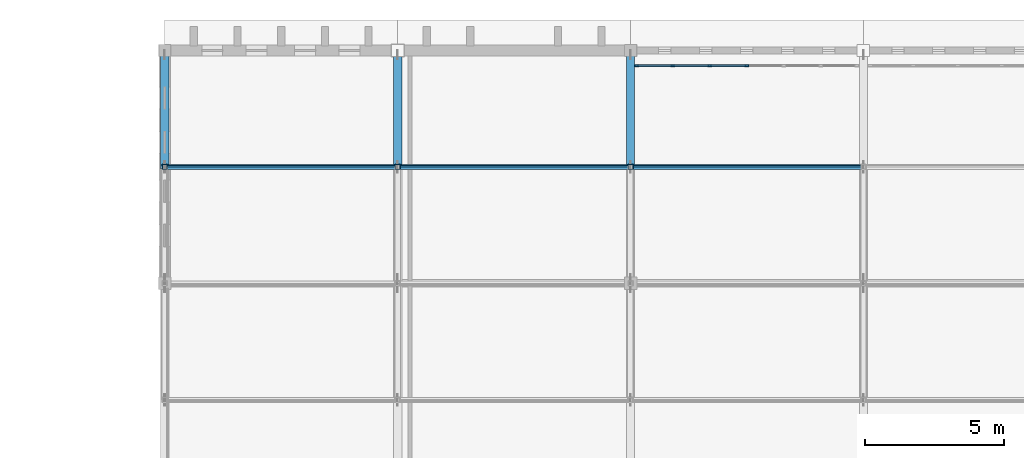
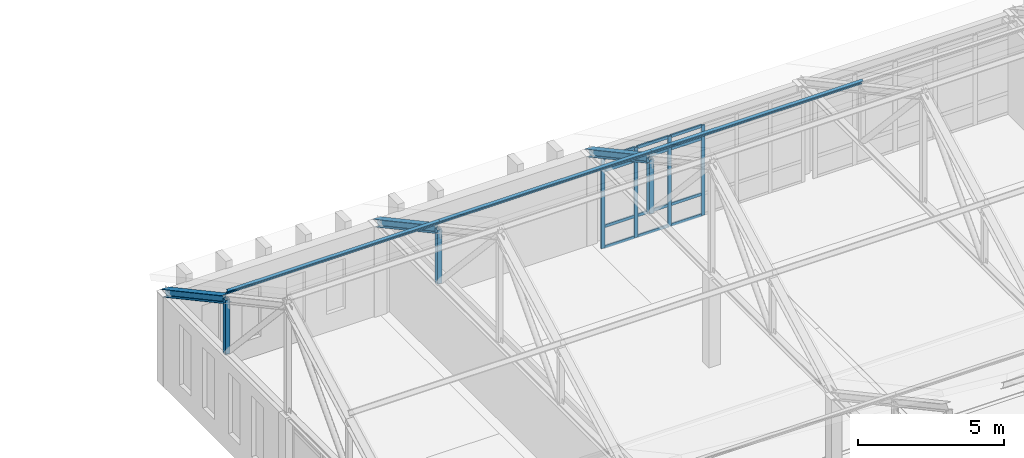
# One storey, part 30 of 110: 25 members, 1 element without a shape of its own.
"""IFC4 building model written with IfcOpenShell, lengths in metres."""

import ifcopenshell
import ifcopenshell.guid

model = None  # the IFC model being written
_history = None  # IfcOwnerHistory: only IFC2X3 demands one
_inside = {}  # id of a spatial element -> (the spatial element, [elements in it])
_under = {}  # id of a project, library or spatial element -> (it, [spatial elements below it])
_declared = {}  # id of a project -> (the project, [libraries it declares])
_typed = {}  # id of a type object -> (the type object, [elements of that type])
_made_of = {}  # id of a material, layer set ... -> (it, [elements and type objects made of it])


def new_model(schema):
    """Start an empty IFC model of exactly this schema.

    Asked for "IFC4X3", IfcOpenShell would pick the latest addendum, in which some entities
    have other attributes; the version numbers below select the first issue.
    IFC2X3 requires an IfcOwnerHistory on every rooted entity: one is made here for all.
    """
    global model, _history
    if schema == "IFC4X3":
        model = ifcopenshell.file(schema_version=(4, 3, 0, 0))
    else:
        model = ifcopenshell.file(schema=schema)
    _inside.clear()
    _under.clear()
    _declared.clear()
    _typed.clear()
    _made_of.clear()
    _history = None
    if model.schema == "IFC2X3":
        org = make("IfcOrganization", Name="unknown")
        user = make(
            "IfcPersonAndOrganization",
            ThePerson=make("IfcPerson", FamilyName="unknown"),
            TheOrganization=org,
        )
        app = make(
            "IfcApplication",
            ApplicationDeveloper=org,
            Version="unknown",
            ApplicationFullName="unknown",
            ApplicationIdentifier="unknown",
        )
        _history = make(
            "IfcOwnerHistory",
            OwningUser=user,
            OwningApplication=app,
            ChangeAction="ADDED",
            CreationDate=0,
        )
    return model


def make(cls, **values):
    """One entity of the class cls with the attributes given. An attribute that is None is left unset."""
    return model.create_entity(
        cls, **{name: value for name, value in values.items() if value is not None}
    )


def rooted(cls, **values):
    """An entity with a GlobalId (a new one), such as an element, a storey or a relation."""
    return make(cls, GlobalId=ifcopenshell.guid.new(), OwnerHistory=_history, **values)


def si_unit(unit_type, name, prefix=None):
    """IfcSIUnit, for example si_unit("LENGTHUNIT", "METRE", prefix="MILLI")."""
    return make("IfcSIUnit", UnitType=unit_type, Prefix=prefix, Name=name)


def assignment(units):
    """IfcUnitAssignment: the units of a project."""
    return None if units is None else make("IfcUnitAssignment", Units=units)


def point(xyz):
    """IfcCartesianPoint."""
    return None if xyz is None else make("IfcCartesianPoint", Coordinates=xyz)


def direction(xyz):
    """IfcDirection."""
    return None if xyz is None else make("IfcDirection", DirectionRatios=xyz)


def frame(location, z_axis=None, x_axis=None):
    """IfcAxis2Placement3D, a coordinate frame: its origin and axes. An axis left out is left unset."""
    return make(
        "IfcAxis2Placement3D",
        Location=point(location),
        Axis=direction(z_axis),
        RefDirection=direction(x_axis),
    )


def frame_2d(location, x_axis=None):
    """IfcAxis2Placement2D, a coordinate frame in the plane: its origin and x axis."""
    return make(
        "IfcAxis2Placement2D", Location=point(location), RefDirection=direction(x_axis)
    )


def origin():
    """The frame at (0, 0, 0) with its axes left unset."""
    return frame((0.0, 0.0, 0.0))


def origin_2d():
    """The frame at (0, 0) in the plane with its x axis left unset."""
    return frame_2d((0.0, 0.0))


def place(relative_to, where):
    """IfcLocalPlacement: puts the frame where relative to a parent placement (None: the world)."""
    return make(
        "IfcLocalPlacement", PlacementRelTo=relative_to, RelativePlacement=where
    )


def context(
    kind, dimensions, precision=None, world=None, true_north=None, identifier=None
):
    """IfcGeometricRepresentationContext, for example the 3D "Model" context."""
    return make(
        "IfcGeometricRepresentationContext",
        ContextIdentifier=identifier,
        ContextType=kind,
        CoordinateSpaceDimension=dimensions,
        Precision=precision,
        WorldCoordinateSystem=world,
        TrueNorth=true_north,
    )


def subcontext(parent, identifier, kind, view, scale=None):
    """IfcGeometricRepresentationSubContext, for example "Body" below "Model"."""
    return make(
        "IfcGeometricRepresentationSubContext",
        ContextIdentifier=identifier,
        ContextType=kind,
        ParentContext=parent,
        TargetScale=scale,
        TargetView=view,
    )


def project(units=None, contexts=None):
    """IfcProject with its units and contexts."""
    return rooted(
        "IfcProject",
        Name="project",
        RepresentationContexts=contexts,
        UnitsInContext=assignment(units),
    )


def spatial(cls, under=None, at=None, **own):
    """A site, building, storey or space (cls), placed at a placement, below another one or the project."""
    s = rooted(cls, ObjectPlacement=at, **own)
    if under is not None:
        _under.setdefault(under.id(), (under, []))[1].append(s)
    return s


def profile(cls, at=None, kind="AREA", **sizes):
    """A parametric profile (cls). Its sizes go by their IFC names, for example OverallWidth=200.0."""
    return make(cls, ProfileType=kind, Position=at, **sizes)


def rectangle(**sizes):
    """IfcRectangleProfileDef."""
    return profile("IfcRectangleProfileDef", **sizes)


def hollow_rectangle(**sizes):
    """IfcRectangleHollowProfileDef."""
    return profile("IfcRectangleHollowProfileDef", **sizes)


def i_section(**sizes):
    """IfcIShapeProfileDef."""
    return profile("IfcIShapeProfileDef", **sizes)


def extrude(swept, where, along, depth):
    """IfcExtrudedAreaSolid: the profile swept, set in the frame where, extruded along a direction by depth."""
    return make(
        "IfcExtrudedAreaSolid",
        SweptArea=swept,
        Position=where,
        ExtrudedDirection=direction(along),
        Depth=depth,
    )


def shape(context_of_items, identifier, shape_type, items):
    """IfcShapeRepresentation: the items that make up one representation, for example the "Body"."""
    return make(
        "IfcShapeRepresentation",
        ContextOfItems=context_of_items,
        RepresentationIdentifier=identifier,
        RepresentationType=shape_type,
        Items=items,
    )


def material(Name=None, Category=None):
    """IfcMaterial."""
    return make("IfcMaterial", Name=Name, Category=Category)


def layer(
    of_material, thickness, ventilated=None, Name=None, Category=None, Priority=None
):
    """IfcMaterialLayer: one layer of a wall or slab, of a material (None: an air gap)."""
    return make(
        "IfcMaterialLayer",
        Material=of_material,
        LayerThickness=thickness,
        IsVentilated=ventilated,
        Name=Name,
        Category=Category,
        Priority=Priority,
    )


def layer_set(layers, Name=None):
    """IfcMaterialLayerSet."""
    return make("IfcMaterialLayerSet", MaterialLayers=layers, LayerSetName=Name)


def material_profile(
    of_material, cross_section, Name=None, Category=None, Priority=None
):
    """IfcMaterialProfile: a cross section and its material."""
    return make(
        "IfcMaterialProfile",
        Name=Name,
        Material=of_material,
        Profile=cross_section,
        Priority=Priority,
        Category=Category,
    )


def profile_set(profiles, Name=None, composite=None):
    """IfcMaterialProfileSet."""
    return make(
        "IfcMaterialProfileSet",
        Name=Name,
        MaterialProfiles=profiles,
        CompositeProfile=composite,
    )


def made_of(thing, what):
    """Note that an element or type object is made of a material, layer set ...; save() writes the relation."""
    if what is not None:
        _made_of.setdefault(what.id(), (what, []))[1].append(thing)
    return thing


def type_object(cls, material=None, **own):
    """A type object (cls), such as IfcWallType, which elements share."""
    return made_of(rooted(cls, **own), material)


def element(
    cls,
    number,
    at=None,
    inside=None,
    cuts=None,
    type_object=None,
    material=None,
    context=None,
    identifier="Body",
    shape_type=None,
    held_by="IfcProductDefinitionShape",
    body=None,
    shapes=None,
    **own,
):
    """One element of the class cls, such as IfcWall. Its Tag is "e" and its number.

    at: its placement. inside: the storey or other place that contains it. cuts: it is an
    opening in that element (IfcRelVoidsElement). A single representation is given by context,
    identifier, shape_type and body (its items); several are given by shapes. held_by: the class
    of the entity that holds the representations. save() writes the other relations.
    """
    e = rooted(cls, Tag="e%d" % number, ObjectPlacement=at, **own)
    if body is not None:
        shapes = [shape(context, identifier, shape_type, body)]
    if shapes is not None:
        e.Representation = make(held_by, Representations=shapes)
    if inside is not None:
        _inside.setdefault(inside.id(), (inside, []))[1].append(e)
    if cuts is not None:
        rooted(
            "IfcRelVoidsElement", RelatingBuildingElement=cuts, RelatedOpeningElement=e
        )
    if type_object is not None:
        _typed.setdefault(type_object.id(), (type_object, []))[1].append(e)
    return made_of(e, material)


def aggregate(whole, parts):
    """IfcRelAggregates: a whole, such as a stair, and the parts it consists of."""
    return rooted("IfcRelAggregates", RelatingObject=whole, RelatedObjects=parts)


def save(model, path):
    """Write the relations noted so far, then the file.

    IfcRelAggregates (storeys below a building ...), IfcRelContainedInSpatialStructure (elements
    in a storey), IfcRelDefinesByType, IfcRelAssociatesMaterial and IfcRelDeclares: one each for
    every whole, place, type object, material and project.
    """
    for whole, parts in _under.values():
        aggregate(whole, parts)
    for where, things in _inside.values():
        rooted(
            "IfcRelContainedInSpatialStructure",
            RelatedElements=things,
            RelatingStructure=where,
        )
    for kind, things in _typed.values():
        rooted("IfcRelDefinesByType", RelatedObjects=things, RelatingType=kind)
    for what, things in _made_of.values():
        rooted("IfcRelAssociatesMaterial", RelatedObjects=things, RelatingMaterial=what)
    for by, libraries in _declared.values():
        rooted("IfcRelDeclares", RelatingContext=by, RelatedDefinitions=libraries)
    model.write(path)


model = new_model("IFC4")

# Units and contexts
model_context = context("Model", 3, precision=1e-05, world=origin(), true_north=direction((0.0, 1.0)))
body_context = subcontext(model_context, "Body", "Model", "MODEL_VIEW")
ifc_project = project(units=[si_unit("LENGTHUNIT", "METRE"), si_unit("AREAUNIT", "SQUARE_METRE"), si_unit("VOLUMEUNIT", "CUBIC_METRE"), si_unit("PLANEANGLEUNIT", "RADIAN"), si_unit("MASSUNIT", "GRAM", prefix="KILO")], contexts=[model_context])

# Site, building, storey
site_placement = place(None, origin())
site = spatial("IfcSite", under=ifc_project, at=site_placement, CompositionType="ELEMENT")
building_placement = place(site_placement, origin())
building = spatial("IfcBuilding", under=site, at=building_placement, Name="Kveldsbrygga Polytechnic", CompositionType="ELEMENT")
storey_placement = place(building_placement, frame((0.0, 0.0, 9.860107421875)))
storey = spatial("IfcBuildingStorey", under=building, at=storey_placement, Name="L02", CompositionType="ELEMENT", Elevation=9.860107421875)

# Curtain wall, members
ifc_material_1 = material(Name="Anodised aluminium AW-6060", Category="aluminium")
ifc_layer = layer(ifc_material_1, 0.179931640625)
ifc_layer_set = layer_set([ifc_layer], Name="Anodised aluminium AW-6060")
curtain_wall_type = type_object("IfcCurtainWallType", Name="CW-CONC-A", PredefinedType="USERDEFINED", material=ifc_layer_set)
curtain_wall_placement = place(storey_placement, origin())
curtain_wall = element("IfcCurtainWall", 1, at=curtain_wall_placement, inside=storey, type_object=curtain_wall_type, Name="Curtain Wall CW-L02-X-07-14", ObjectType="UNITISED CURTAIN WALL", PredefinedType="USERDEFINED")
ifc_material_profile_1 = material_profile(ifc_material_1, rectangle(XDim=0.06005859375, YDim=0.139892578125, at=origin_2d()), Name="ALU 60x140")
ifc_profile_set_1 = profile_set([ifc_material_profile_1], Name="Anodised aluminium AW-6060")
member_type_1 = type_object("IfcMemberType", Name="CW-MUL-140", PredefinedType="MULLION", material=ifc_profile_set_1)
member_1_placement = place(storey_placement, frame((59.02490234375, 117.050048828125, 0.0), z_axis=(0.0, 0.0, 1.0), x_axis=(0.0, 1.0, 0.0)))
member_1 = element("IfcMember", 2, at=member_1_placement, type_object=member_type_1, Name="CW-01 mullion 1", PredefinedType="MULLION", context=body_context, shape_type="SweptSolid", body=[
    extrude(rectangle(XDim=0.06005859375, YDim=0.139892578125, at=origin_2d()), origin(), (0.0, 0.0, 1.0), 3.77978515625),
])
member_2_placement = place(storey_placement, frame((60.327392578125, 117.050048828125, 0.0), z_axis=(0.0, 0.0, 1.0), x_axis=(0.0, 1.0, 0.0)))
member_2 = element("IfcMember", 3, at=member_2_placement, type_object=member_type_1, Name="CW-01 mullion 2", PredefinedType="MULLION", context=body_context, shape_type="SweptSolid", body=[
    extrude(rectangle(XDim=0.06005859375, YDim=0.139892578125, at=origin_2d()), origin(), (0.0, 0.0, 1.0), 3.77978515625),
])
member_3_placement = place(storey_placement, frame((61.659912109375, 117.050048828125, 0.0), z_axis=(0.0, 0.0, 1.0), x_axis=(0.0, 1.0, 0.0)))
member_3 = element("IfcMember", 4, at=member_3_placement, type_object=member_type_1, Name="CW-01 mullion 3", PredefinedType="MULLION", context=body_context, shape_type="SweptSolid", body=[
    extrude(rectangle(XDim=0.06005859375, YDim=0.139892578125, at=origin_2d()), origin(), (0.0, 0.0, 1.0), 3.77978515625),
])
member_4_placement = place(storey_placement, frame((62.992431640625, 117.050048828125, 0.0), z_axis=(0.0, 0.0, 1.0), x_axis=(0.0, 1.0, 0.0)))
member_4 = element("IfcMember", 5, at=member_4_placement, type_object=member_type_1, Name="CW-01 mullion 4", PredefinedType="MULLION", context=body_context, shape_type="SweptSolid", body=[
    extrude(rectangle(XDim=0.06005859375, YDim=0.139892578125, at=origin_2d()), origin(), (0.0, 0.0, 1.0), 3.77978515625),
])
ifc_material_profile_2 = material_profile(ifc_material_1, rectangle(XDim=0.06005859375, YDim=0.1201171875, at=origin_2d()), Name="ALU 60x120")
ifc_profile_set_2 = profile_set([ifc_material_profile_2], Name="Anodised aluminium AW-6060")
member_type_2 = type_object("IfcMemberType", Name="CW-TRN-120", PredefinedType="USERDEFINED", material=ifc_profile_set_2)
member_5_placement = place(storey_placement, frame((59.054931640625, 117.050048828125, 0.02978515625), z_axis=(1.0, 0.0, 0.0), x_axis=(0.0, 1.0, 0.0)))
member_5 = element("IfcMember", 6, at=member_5_placement, type_object=member_type_2, Name="CW-01 transom 1.1", ObjectType="TRANSOM", PredefinedType="USERDEFINED", context=body_context, shape_type="SweptSolid", body=[
    extrude(rectangle(XDim=0.06005859375, YDim=0.1201171875, at=origin_2d()), origin(), (0.0, 0.0, 1.0), 1.24267578125),
])
member_6_placement = place(storey_placement, frame((59.054931640625, 117.050048828125, 0.89990234375), z_axis=(1.0, 0.0, 0.0), x_axis=(0.0, 1.0, 0.0)))
member_6 = element("IfcMember", 7, at=member_6_placement, type_object=member_type_2, Name="CW-01 transom 1.2", ObjectType="TRANSOM", PredefinedType="USERDEFINED", context=body_context, shape_type="SweptSolid", body=[
    extrude(rectangle(XDim=0.06005859375, YDim=0.1201171875, at=origin_2d()), origin(), (0.0, 0.0, 1.0), 1.24267578125),
])
member_7_placement = place(storey_placement, frame((59.054931640625, 117.050048828125, 3.22998046875), z_axis=(1.0, 0.0, 0.0), x_axis=(0.0, 1.0, 0.0)))
member_7 = element("IfcMember", 8, at=member_7_placement, type_object=member_type_2, Name="CW-01 transom 1.3", ObjectType="TRANSOM", PredefinedType="USERDEFINED", context=body_context, shape_type="SweptSolid", body=[
    extrude(rectangle(XDim=0.06005859375, YDim=0.1201171875, at=origin_2d()), origin(), (0.0, 0.0, 1.0), 1.24267578125),
])
member_8_placement = place(storey_placement, frame((59.054931640625, 117.050048828125, 3.75), z_axis=(1.0, 0.0, 0.0), x_axis=(0.0, 1.0, 0.0)))
member_8 = element("IfcMember", 9, at=member_8_placement, type_object=member_type_2, Name="CW-01 transom 1.4", ObjectType="TRANSOM", PredefinedType="USERDEFINED", context=body_context, shape_type="SweptSolid", body=[
    extrude(rectangle(XDim=0.06005859375, YDim=0.1201171875, at=origin_2d()), origin(), (0.0, 0.0, 1.0), 1.24267578125),
])
member_9_placement = place(storey_placement, frame((60.357421875, 117.050048828125, 0.02978515625), z_axis=(1.0, 0.0, 0.0), x_axis=(0.0, 1.0, 0.0)))
member_9 = element("IfcMember", 10, at=member_9_placement, type_object=member_type_2, Name="CW-01 transom 2.1", ObjectType="TRANSOM", PredefinedType="USERDEFINED", context=body_context, shape_type="SweptSolid", body=[
    extrude(rectangle(XDim=0.06005859375, YDim=0.1201171875, at=origin_2d()), origin(), (0.0, 0.0, 1.0), 1.2724609375),
])
member_10_placement = place(storey_placement, frame((60.357421875, 117.050048828125, 0.89990234375), z_axis=(1.0, 0.0, 0.0), x_axis=(0.0, 1.0, 0.0)))
member_10 = element("IfcMember", 11, at=member_10_placement, type_object=member_type_2, Name="CW-01 transom 2.2", ObjectType="TRANSOM", PredefinedType="USERDEFINED", context=body_context, shape_type="SweptSolid", body=[
    extrude(rectangle(XDim=0.06005859375, YDim=0.1201171875, at=origin_2d()), origin(), (0.0, 0.0, 1.0), 1.2724609375),
])
member_11_placement = place(storey_placement, frame((60.357421875, 117.050048828125, 3.22998046875), z_axis=(1.0, 0.0, 0.0), x_axis=(0.0, 1.0, 0.0)))
member_11 = element("IfcMember", 12, at=member_11_placement, type_object=member_type_2, Name="CW-01 transom 2.3", ObjectType="TRANSOM", PredefinedType="USERDEFINED", context=body_context, shape_type="SweptSolid", body=[
    extrude(rectangle(XDim=0.06005859375, YDim=0.1201171875, at=origin_2d()), origin(), (0.0, 0.0, 1.0), 1.2724609375),
])
member_12_placement = place(storey_placement, frame((60.357421875, 117.050048828125, 3.75), z_axis=(1.0, 0.0, 0.0), x_axis=(0.0, 1.0, 0.0)))
member_12 = element("IfcMember", 13, at=member_12_placement, type_object=member_type_2, Name="CW-01 transom 2.4", ObjectType="TRANSOM", PredefinedType="USERDEFINED", context=body_context, shape_type="SweptSolid", body=[
    extrude(rectangle(XDim=0.06005859375, YDim=0.1201171875, at=origin_2d()), origin(), (0.0, 0.0, 1.0), 1.2724609375),
])
member_13_placement = place(storey_placement, frame((61.68994140625, 117.050048828125, 0.02978515625), z_axis=(1.0, 0.0, 0.0), x_axis=(0.0, 1.0, 0.0)))
member_13 = element("IfcMember", 14, at=member_13_placement, type_object=member_type_2, Name="CW-01 transom 3.1", ObjectType="TRANSOM", PredefinedType="USERDEFINED", context=body_context, shape_type="SweptSolid", body=[
    extrude(rectangle(XDim=0.06005859375, YDim=0.1201171875, at=origin_2d()), origin(), (0.0, 0.0, 1.0), 1.2724609375),
])
member_14_placement = place(storey_placement, frame((61.68994140625, 117.050048828125, 0.89990234375), z_axis=(1.0, 0.0, 0.0), x_axis=(0.0, 1.0, 0.0)))
member_14 = element("IfcMember", 15, at=member_14_placement, type_object=member_type_2, Name="CW-01 transom 3.2", ObjectType="TRANSOM", PredefinedType="USERDEFINED", context=body_context, shape_type="SweptSolid", body=[
    extrude(rectangle(XDim=0.06005859375, YDim=0.1201171875, at=origin_2d()), origin(), (0.0, 0.0, 1.0), 1.2724609375),
])
member_15_placement = place(storey_placement, frame((61.68994140625, 117.050048828125, 3.22998046875), z_axis=(1.0, 0.0, 0.0), x_axis=(0.0, 1.0, 0.0)))
member_15 = element("IfcMember", 16, at=member_15_placement, type_object=member_type_2, Name="CW-01 transom 3.3", ObjectType="TRANSOM", PredefinedType="USERDEFINED", context=body_context, shape_type="SweptSolid", body=[
    extrude(rectangle(XDim=0.06005859375, YDim=0.1201171875, at=origin_2d()), origin(), (0.0, 0.0, 1.0), 1.2724609375),
])
member_16_placement = place(storey_placement, frame((61.68994140625, 117.050048828125, 3.75), z_axis=(1.0, 0.0, 0.0), x_axis=(0.0, 1.0, 0.0)))
member_16 = element("IfcMember", 17, at=member_16_placement, type_object=member_type_2, Name="CW-01 transom 3.4", ObjectType="TRANSOM", PredefinedType="USERDEFINED", context=body_context, shape_type="SweptSolid", body=[
    extrude(rectangle(XDim=0.06005859375, YDim=0.1201171875, at=origin_2d()), origin(), (0.0, 0.0, 1.0), 1.2724609375),
])
aggregate(curtain_wall, [member_1, member_2, member_3, member_4, member_5, member_6, member_7, member_8, member_9, member_10, member_11, member_12, member_13, member_14, member_15, member_16])

# Members
ifc_material_2 = material(Name="Steel S355", Category="steel")
ifc_material_profile_3 = material_profile(ifc_material_2, i_section(OverallWidth=0.10009765625, OverallDepth=0.199951171875, WebThickness=0.005615234375, FlangeThickness=0.008544921875, FilletRadius=0.011962890625, at=origin_2d()), Name="IPE 200")
ifc_profile_set_3 = profile_set([ifc_material_profile_3], Name="Steel S355")
member_type_3 = type_object("IfcMemberType", Name="PRL-IPE200", PredefinedType="PURLIN", material=ifc_profile_set_3)
member_17_placement = place(storey_placement, frame((42.0, 113.39990234375, 6.33349609375), z_axis=(1.0, 0.0, 0.0), x_axis=(0.0, 0.879292204483, 0.476282709256)))
element("IfcMember", 18, at=member_17_placement, inside=storey, type_object=member_type_3, Name="Roof Purlin V2L2-PRL-1-3", PredefinedType="PURLIN", context=body_context, shape_type="SweptSolid", body=[
    extrude(i_section(OverallWidth=0.10009765625, OverallDepth=0.199951171875, WebThickness=0.005615234375, FlangeThickness=0.008544921875, FilletRadius=0.011962890625, at=origin_2d()), origin(), (0.0, 0.0, 1.0), 8.39990234375),
])
member_18_placement = place(storey_placement, frame((50.39990234375, 113.39990234375, 6.33349609375), z_axis=(1.0, 0.0, 0.0), x_axis=(0.0, 0.879292204483, 0.476282709256)))
element("IfcMember", 19, at=member_18_placement, inside=storey, type_object=member_type_3, Name="Roof Purlin V2L2-PRL-2-3", PredefinedType="PURLIN", context=body_context, shape_type="SweptSolid", body=[
    extrude(i_section(OverallWidth=0.10009765625, OverallDepth=0.199951171875, WebThickness=0.005615234375, FlangeThickness=0.008544921875, FilletRadius=0.011962890625, at=origin_2d()), origin(), (0.0, 0.0, 1.0), 8.400146484375),
])
member_19_placement = place(storey_placement, frame((58.800048828125, 113.39990234375, 6.33349609375), z_axis=(1.0, 0.0, 0.0), x_axis=(0.0, 0.879292204483, 0.476282709256)))
element("IfcMember", 20, at=member_19_placement, inside=storey, type_object=member_type_3, Name="Roof Purlin V2L2-PRL-3-3", PredefinedType="PURLIN", context=body_context, shape_type="SweptSolid", body=[
    extrude(i_section(OverallWidth=0.10009765625, OverallDepth=0.199951171875, WebThickness=0.005615234375, FlangeThickness=0.008544921875, FilletRadius=0.011962890625, at=origin_2d()), origin(), (0.0, 0.0, 1.0), 8.39990234375),
])
ifc_material_profile_4 = material_profile(ifc_material_2, hollow_rectangle(XDim=0.179931640625, YDim=0.179931640625, WallThickness=0.010009765625, at=origin_2d()), Name="SHS 180x180x10.0")
ifc_profile_set_4 = profile_set([ifc_material_profile_4], Name="Steel S355")
member_type_4 = type_object("IfcMemberType", Name="TR-POST-SHS180", PredefinedType="STRUT", material=ifc_profile_set_4)
for number, where, z_axis, x_axis, name in (
    (21, (42.0, 113.39990234375, 3.77978515625), (0.0, 0.0, 1.0), (1.0, 0.0, 0.0), "Truss Vertical V2L2-T01-VT-3"),
    (22, (50.39990234375, 113.39990234375, 3.77978515625), (0.0, 0.0, 1.0), (1.0, 0.0, 0.0), "Truss Vertical V2L2-T02-VT-3"),
    (23, (58.800048828125, 113.39990234375, 3.77978515625), (0.0, 0.0, 1.0), (1.0, 0.0, 0.0), "Truss Vertical V2L2-T03-VT-3"),
):
    element("IfcMember", number, at=place(storey_placement, frame(where, z_axis=z_axis, x_axis=x_axis)), inside=storey, type_object=member_type_4, Name=name, PredefinedType="STRUT", context=body_context, shape_type="SweptSolid", body=[
        extrude(hollow_rectangle(XDim=0.179931640625, YDim=0.179931640625, WallThickness=0.010009765625, at=origin_2d()), origin(), (0.0, 0.0, 1.0), 2.275146484375),
    ])
ifc_material_profile_5 = material_profile(ifc_material_2, i_section(OverallWidth=0.300048828125, OverallDepth=0.2900390625, WebThickness=0.008544921875, FlangeThickness=0.013916015625, FilletRadius=0.027099609375, at=origin_2d()), Name="HEA 300")
ifc_profile_set_5 = profile_set([ifc_material_profile_5], Name="Steel S355")
member_type_5 = type_object("IfcMemberType", Name="TR-TOP-HEA300", PredefinedType="CHORD", material=ifc_profile_set_5)
for number, where, z_axis, x_axis, name in (
    (24, (42.0, 113.39990234375, 6.054931640625), (0.0, 0.879288399135, -0.476289734454), (-1.0, 0.0, 0.0), "Truss Top Chord V2L2-T01-TC-4"),
    (25, (50.39990234375, 113.39990234375, 6.054931640625), (0.0, 0.879288399135, -0.476289734454), (-1.0, 0.0, 0.0), "Truss Top Chord V2L2-T02-TC-4"),
    (26, (58.800048828125, 113.39990234375, 6.054931640625), (0.0, 0.879288399135, -0.476289734454), (-1.0, 0.0, 0.0), "Truss Top Chord V2L2-T03-TC-4"),
):
    element("IfcMember", number, at=place(storey_placement, frame(where, z_axis=z_axis, x_axis=x_axis)), inside=storey, type_object=member_type_5, Name=name, PredefinedType="CHORD", context=body_context, shape_type="SweptSolid", body=[
        extrude(i_section(OverallWidth=0.300048828125, OverallDepth=0.2900390625, WebThickness=0.008544921875, FlangeThickness=0.013916015625, FilletRadius=0.027099609375, at=origin_2d()), origin(), (0.0, 0.0, 1.0), 4.77685546875),
    ])

save(model, "model.ifc")
